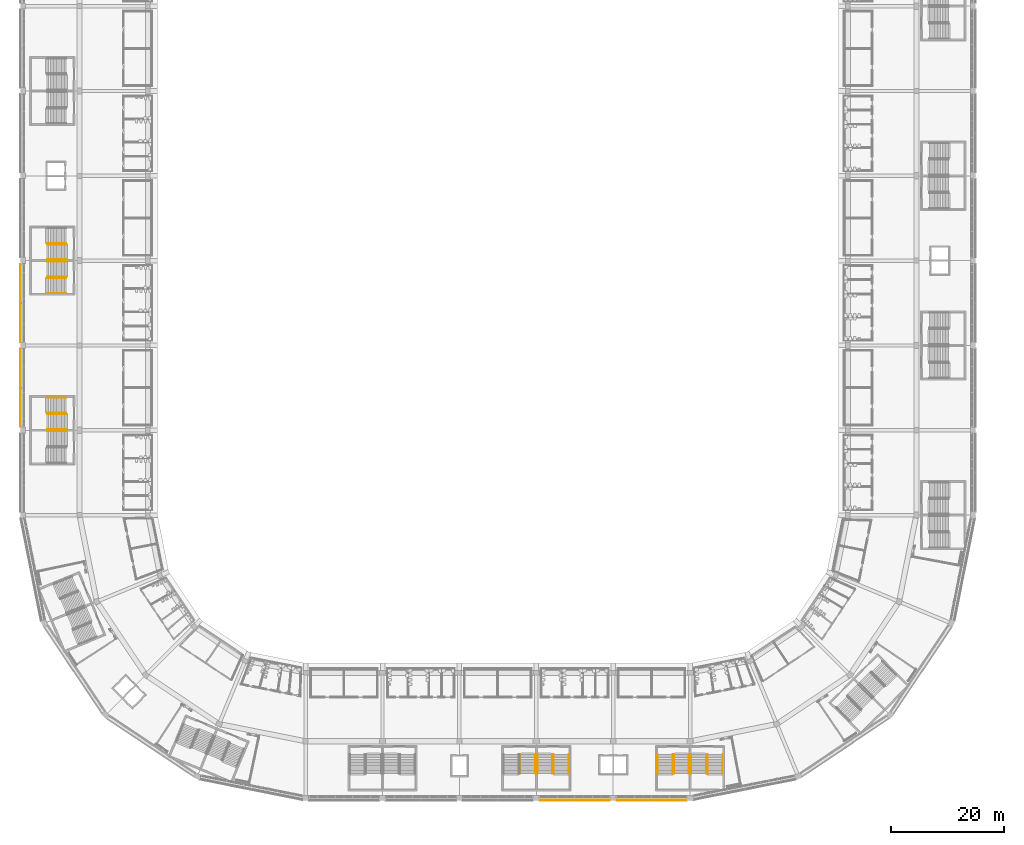
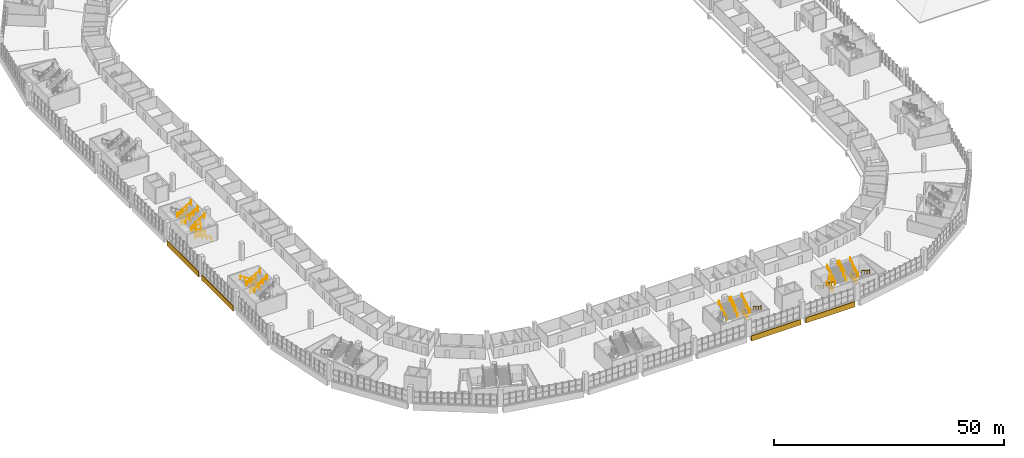
# One storey, part 187 of 199: 38 railings, 4 coverings.
"""IFC4 building model written with IfcOpenShell, lengths in metres."""

from ifc_helpers import new_model, si_unit, direction, frame, origin, origin_2d, place, context, subcontext, project, spatial, polyline, circle, outline, extrude, material, layer, layer_set, type_object, element, save


model = new_model("IFC4")

# Units and contexts
model_context = context("Model", 3, precision=1e-05, world=origin(), true_north=direction((0.0, 1.0)))
body_context = subcontext(model_context, "Body", "Model", "MODEL_VIEW")
ifc_project = project(units=[si_unit("LENGTHUNIT", "METRE"), si_unit("AREAUNIT", "SQUARE_METRE"), si_unit("VOLUMEUNIT", "CUBIC_METRE"), si_unit("PLANEANGLEUNIT", "RADIAN"), si_unit("MASSUNIT", "GRAM", prefix="KILO")], contexts=[model_context])

# Site, building, storey
site_placement = place(None, origin())
site = spatial("IfcSite", under=ifc_project, at=site_placement, CompositionType="ELEMENT")
building_placement = place(site_placement, origin())
building = spatial("IfcBuilding", under=site, at=building_placement, Name="Ogive Plaza Stadium", CompositionType="ELEMENT")
storey_placement = place(building_placement, frame((0.0, 0.0, 4.5)))
storey = spatial("IfcBuildingStorey", under=building, at=storey_placement, Name="L01", CompositionType="ELEMENT", Elevation=4.5)

# Railings
ifc_material_1 = material(Name="Steel ASTM A572 Grade 50", Category="steel")
railing_type_1 = type_object("IfcRailingType", Name="Guard 1100", PredefinedType="GUARDRAIL", material=ifc_material_1)
for number, where, name in (
    (1, (31.02490234375, -94.85009765625, 0.0), "Stair well guard ST12A L01"),
    (2, (31.02490234375, -95.81005859375, 2.25), "Stair well guard ST12A L01"),
    (3, (36.97509765625, -94.85009765625, 0.0), "Stair well guard ST12B L01"),
    (4, (36.97509765625, -95.81005859375, 2.25), "Stair well guard ST12B L01"),
    (5, (9.77490234375, -94.85009765625, 0.0), "Stair well guard ST14B L01"),
    (6, (9.77490234375, -95.81005859375, 2.25), "Stair well guard ST14B L01"),
):
    element("IfcRailing", number, at=place(storey_placement, frame(where)), inside=storey, type_object=railing_type_1, Name=name, PredefinedType="GUARDRAIL", context=body_context, shape_type="SweptSolid", body=[
        extrude(circle(Radius=0.02392578125, at=origin_2d()), frame((0.0, 0.0, 1.076171875), z_axis=(0.0, -1.0, 0.0), x_axis=(1.0, 0.0, 0.0)), (0.0, 0.0, 1.0), 2.39990234375),
        extrude(circle(Radius=0.02099609375, at=origin_2d()), origin(), (0.0, 0.0, 1.0), 1.052001953125),
        extrude(circle(Radius=0.02099609375, at=origin_2d()), frame((0.0, -1.199951171875, 0.0)), (0.0, 0.0, 1.0), 1.052001953125),
        extrude(circle(Radius=0.02099609375, at=origin_2d()), frame((0.0, -2.39990234375, 0.0)), (0.0, 0.0, 1.0), 1.052001953125),
    ])
for number, where, name in (
    (7, (-76.35009765625, -34.52490234375, 0.0), "Stair well guard ST22A L01"),
    (8, (-77.31005859375, -34.52490234375, 2.25), "Stair well guard ST22A L01"),
    (9, (-76.35009765625, -4.52490234375, 0.0), "Stair well guard ST24A L01"),
    (10, (-77.31005859375, -4.52490234375, 2.25), "Stair well guard ST24A L01"),
    (11, (-76.35009765625, -10.47509765625, 0.0), "Stair well guard ST24B L01"),
    (12, (-77.31005859375, -10.47509765625, 2.25), "Stair well guard ST24B L01"),
):
    element("IfcRailing", number, at=place(storey_placement, frame(where)), inside=storey, type_object=railing_type_1, Name=name, PredefinedType="GUARDRAIL", context=body_context, shape_type="SweptSolid", body=[
        extrude(circle(Radius=0.02392578125, at=origin_2d()), frame((0.0, 0.0, 1.076171875), z_axis=(-1.0, 0.0, 0.0), x_axis=(0.0, -1.0, 0.0)), (0.0, 0.0, 1.0), 2.39990234375),
        extrude(circle(Radius=0.02099609375, at=origin_2d()), origin(), (0.0, 0.0, 1.0), 1.052001953125),
        extrude(circle(Radius=0.02099609375, at=origin_2d()), frame((-1.199951171875, 0.0, 0.0)), (0.0, 0.0, 1.0), 1.052001953125),
        extrude(circle(Radius=0.02099609375, at=origin_2d()), frame((-2.39990234375, 0.0, 0.0)), (0.0, 0.0, 1.0), 1.052001953125),
    ])
ifc_material_2 = material(Name="Steel ASTM A572 Grade 50", Category="steel")
railing_type_2 = type_object("IfcRailingType", Name="Handrail 900", PredefinedType="HANDRAIL", material=ifc_material_2)
for number, where, name in (
    (13, (28.235107421875, -94.85009765625, 0.173095703125), "Handrail ST12A L01"),
    (14, (30.9150390625, -94.85009765625, 0.173095703125), "Handrail ST12A L01"),
):
    element("IfcRailing", number, at=place(storey_placement, frame(where)), inside=storey, type_object=railing_type_2, Name=name, PredefinedType="HANDRAIL", context=body_context, shape_type="SweptSolid", body=[
        extrude(circle(Radius=0.02392578125, at=origin_2d()), frame((0.0, 0.0, 0.8759765625), z_axis=(0.0, -0.850606129759, 0.525803396734), x_axis=(1.0, 0.0, 0.0)), (0.0, 0.0, 1.0), 3.949951171875),
        extrude(circle(Radius=0.02099609375, at=origin_2d()), origin(), (0.0, 0.0, 1.0), 0.851806640625),
        extrude(circle(Radius=0.02099609375, at=origin_2d()), frame((0.0, -1.119873046875, 0.6923828125)), (0.0, 0.0, 1.0), 0.851806640625),
        extrude(circle(Radius=0.02099609375, at=origin_2d()), frame((0.0, -2.239990234375, 1.384521484375)), (0.0, 0.0, 1.0), 0.851806640625),
        extrude(circle(Radius=0.02099609375, at=origin_2d()), frame((0.0, -3.35986328125, 2.076904296875)), (0.0, 0.0, 1.0), 1.10009765625),
    ])
for number, where, name in (
    (15, (31.135009765625, -98.2099609375, 2.423095703125), "Handrail ST12A L01"),
    (16, (33.81494140625, -98.2099609375, 2.423095703125), "Handrail ST12A L01"),
):
    element("IfcRailing", number, at=place(storey_placement, frame(where)), inside=storey, type_object=railing_type_2, Name=name, PredefinedType="HANDRAIL", context=body_context, shape_type="SweptSolid", body=[
        extrude(circle(Radius=0.02392578125, at=origin_2d()), frame((0.0, 0.0, 0.8759765625), z_axis=(0.0, 0.850606129759, 0.525803396734), x_axis=(-1.0, 0.0, 0.0)), (0.0, 0.0, 1.0), 3.949951171875),
        extrude(circle(Radius=0.02099609375, at=origin_2d()), origin(), (0.0, 0.0, 1.0), 0.851806640625),
        extrude(circle(Radius=0.02099609375, at=origin_2d()), frame((0.0, 1.119873046875, 0.6923828125)), (0.0, 0.0, 1.0), 0.851806640625),
        extrude(circle(Radius=0.02099609375, at=origin_2d()), frame((0.0, 2.239990234375, 1.384521484375)), (0.0, 0.0, 1.0), 0.851806640625),
        extrude(circle(Radius=0.02099609375, at=origin_2d()), frame((0.0, 3.35986328125, 2.076904296875)), (0.0, 0.0, 1.0), 1.10009765625),
    ])
for number, where, name in (
    (17, (37.0849609375, -94.85009765625, 0.173095703125), "Handrail ST12B L01"),
    (18, (39.764892578125, -94.85009765625, 0.173095703125), "Handrail ST12B L01"),
):
    element("IfcRailing", number, at=place(storey_placement, frame(where)), inside=storey, type_object=railing_type_2, Name=name, PredefinedType="HANDRAIL", context=body_context, shape_type="SweptSolid", body=[
        extrude(circle(Radius=0.02392578125, at=origin_2d()), frame((0.0, 0.0, 0.8759765625), z_axis=(0.0, -0.850606129759, 0.525803396734), x_axis=(1.0, 0.0, 0.0)), (0.0, 0.0, 1.0), 3.949951171875),
        extrude(circle(Radius=0.02099609375, at=origin_2d()), origin(), (0.0, 0.0, 1.0), 0.851806640625),
        extrude(circle(Radius=0.02099609375, at=origin_2d()), frame((0.0, -1.119873046875, 0.6923828125)), (0.0, 0.0, 1.0), 0.851806640625),
        extrude(circle(Radius=0.02099609375, at=origin_2d()), frame((0.0, -2.239990234375, 1.384521484375)), (0.0, 0.0, 1.0), 0.851806640625),
        extrude(circle(Radius=0.02099609375, at=origin_2d()), frame((0.0, -3.35986328125, 2.076904296875)), (0.0, 0.0, 1.0), 1.10009765625),
    ])
for number, where, name in (
    (19, (34.18505859375, -98.2099609375, 2.423095703125), "Handrail ST12B L01"),
    (20, (36.864990234375, -98.2099609375, 2.423095703125), "Handrail ST12B L01"),
    (21, (3.93505859375, -98.2099609375, 2.423095703125), "Handrail ST14A L01"),
    (22, (6.614990234375, -98.2099609375, 2.423095703125), "Handrail ST14A L01"),
):
    element("IfcRailing", number, at=place(storey_placement, frame(where)), inside=storey, type_object=railing_type_2, Name=name, PredefinedType="HANDRAIL", context=body_context, shape_type="SweptSolid", body=[
        extrude(circle(Radius=0.02392578125, at=origin_2d()), frame((0.0, 0.0, 0.8759765625), z_axis=(0.0, 0.850606129759, 0.525803396734), x_axis=(-1.0, 0.0, 0.0)), (0.0, 0.0, 1.0), 3.949951171875),
        extrude(circle(Radius=0.02099609375, at=origin_2d()), origin(), (0.0, 0.0, 1.0), 0.851806640625),
        extrude(circle(Radius=0.02099609375, at=origin_2d()), frame((0.0, 1.119873046875, 0.6923828125)), (0.0, 0.0, 1.0), 0.851806640625),
        extrude(circle(Radius=0.02099609375, at=origin_2d()), frame((0.0, 2.239990234375, 1.384521484375)), (0.0, 0.0, 1.0), 0.851806640625),
        extrude(circle(Radius=0.02099609375, at=origin_2d()), frame((0.0, 3.35986328125, 2.076904296875)), (0.0, 0.0, 1.0), 1.10009765625),
    ])
for number, where, name in (
    (23, (9.885009765625, -94.85009765625, 0.173095703125), "Handrail ST14B L01"),
    (24, (12.56494140625, -94.85009765625, 0.173095703125), "Handrail ST14B L01"),
):
    element("IfcRailing", number, at=place(storey_placement, frame(where)), inside=storey, type_object=railing_type_2, Name=name, PredefinedType="HANDRAIL", context=body_context, shape_type="SweptSolid", body=[
        extrude(circle(Radius=0.02392578125, at=origin_2d()), frame((0.0, 0.0, 0.8759765625), z_axis=(0.0, -0.850606129759, 0.525803396734), x_axis=(1.0, 0.0, 0.0)), (0.0, 0.0, 1.0), 3.949951171875),
        extrude(circle(Radius=0.02099609375, at=origin_2d()), origin(), (0.0, 0.0, 1.0), 0.851806640625),
        extrude(circle(Radius=0.02099609375, at=origin_2d()), frame((0.0, -1.119873046875, 0.6923828125)), (0.0, 0.0, 1.0), 0.851806640625),
        extrude(circle(Radius=0.02099609375, at=origin_2d()), frame((0.0, -2.239990234375, 1.384521484375)), (0.0, 0.0, 1.0), 0.851806640625),
        extrude(circle(Radius=0.02099609375, at=origin_2d()), frame((0.0, -3.35986328125, 2.076904296875)), (0.0, 0.0, 1.0), 1.10009765625),
    ])
for number, where, name in (
    (25, (6.985107421875, -98.2099609375, 2.423095703125), "Handrail ST14B L01"),
    (26, (9.6650390625, -98.2099609375, 2.423095703125), "Handrail ST14B L01"),
):
    element("IfcRailing", number, at=place(storey_placement, frame(where)), inside=storey, type_object=railing_type_2, Name=name, PredefinedType="HANDRAIL", context=body_context, shape_type="SweptSolid", body=[
        extrude(circle(Radius=0.02392578125, at=origin_2d()), frame((0.0, 0.0, 0.8759765625), z_axis=(0.0, 0.850606129759, 0.525803396734), x_axis=(-1.0, 0.0, 0.0)), (0.0, 0.0, 1.0), 3.949951171875),
        extrude(circle(Radius=0.02099609375, at=origin_2d()), origin(), (0.0, 0.0, 1.0), 0.851806640625),
        extrude(circle(Radius=0.02099609375, at=origin_2d()), frame((0.0, 1.119873046875, 0.6923828125)), (0.0, 0.0, 1.0), 0.851806640625),
        extrude(circle(Radius=0.02099609375, at=origin_2d()), frame((0.0, 2.239990234375, 1.384521484375)), (0.0, 0.0, 1.0), 0.851806640625),
        extrude(circle(Radius=0.02099609375, at=origin_2d()), frame((0.0, 3.35986328125, 2.076904296875)), (0.0, 0.0, 1.0), 1.10009765625),
    ])
for number, where, name in (
    (27, (-76.35009765625, -31.735107421875, 0.173095703125), "Handrail ST22A L01"),
    (28, (-76.35009765625, -34.4150390625, 0.173095703125), "Handrail ST22A L01"),
):
    element("IfcRailing", number, at=place(storey_placement, frame(where)), inside=storey, type_object=railing_type_2, Name=name, PredefinedType="HANDRAIL", context=body_context, shape_type="SweptSolid", body=[
        extrude(circle(Radius=0.02392578125, at=origin_2d()), frame((0.0, 0.0, 0.8759765625), z_axis=(-0.850606129759, 0.0, 0.525803396734), x_axis=(0.0, -1.0, 0.0)), (0.0, 0.0, 1.0), 3.949951171875),
        extrude(circle(Radius=0.02099609375, at=origin_2d()), origin(), (0.0, 0.0, 1.0), 0.851806640625),
        extrude(circle(Radius=0.02099609375, at=origin_2d()), frame((-1.119873046875, 0.0, 0.6923828125)), (0.0, 0.0, 1.0), 0.851806640625),
        extrude(circle(Radius=0.02099609375, at=origin_2d()), frame((-2.239990234375, 0.0, 1.384521484375)), (0.0, 0.0, 1.0), 0.851806640625),
        extrude(circle(Radius=0.02099609375, at=origin_2d()), frame((-3.35986328125, 0.0, 2.076904296875)), (0.0, 0.0, 1.0), 1.10009765625),
    ])
for number, where, name in (
    (29, (-79.7099609375, -34.635009765625, 2.423095703125), "Handrail ST22A L01"),
    (30, (-79.7099609375, -37.31494140625, 2.423095703125), "Handrail ST22A L01"),
    (31, (-79.7099609375, -37.68505859375, 2.423095703125), "Handrail ST22B L01"),
):
    element("IfcRailing", number, at=place(storey_placement, frame(where)), inside=storey, type_object=railing_type_2, Name=name, PredefinedType="HANDRAIL", context=body_context, shape_type="SweptSolid", body=[
        extrude(circle(Radius=0.02392578125, at=origin_2d()), frame((0.0, 0.0, 0.8759765625), z_axis=(0.850606129759, 0.0, 0.525803396734), x_axis=(0.0, 1.0, 0.0)), (0.0, 0.0, 1.0), 3.949951171875),
        extrude(circle(Radius=0.02099609375, at=origin_2d()), origin(), (0.0, 0.0, 1.0), 0.851806640625),
        extrude(circle(Radius=0.02099609375, at=origin_2d()), frame((1.119873046875, 0.0, 0.6923828125)), (0.0, 0.0, 1.0), 0.851806640625),
        extrude(circle(Radius=0.02099609375, at=origin_2d()), frame((2.239990234375, 0.0, 1.384521484375)), (0.0, 0.0, 1.0), 0.851806640625),
        extrude(circle(Radius=0.02099609375, at=origin_2d()), frame((3.35986328125, 0.0, 2.076904296875)), (0.0, 0.0, 1.0), 1.10009765625),
    ])
railing_placement = place(storey_placement, frame((-76.35009765625, -4.4150390625, 0.173095703125)))
element("IfcRailing", 32, at=railing_placement, inside=storey, type_object=railing_type_2, Name="Handrail ST24A L01", PredefinedType="HANDRAIL", context=body_context, shape_type="SweptSolid", body=[
    extrude(circle(Radius=0.02392578125, at=origin_2d()), frame((0.0, 0.0, 0.8759765625), z_axis=(-0.850606129759, 0.0, 0.525803396734), x_axis=(0.0, -1.0, 0.0)), (0.0, 0.0, 1.0), 3.949951171875),
    extrude(circle(Radius=0.02099609375, at=origin_2d()), origin(), (0.0, 0.0, 1.0), 0.851806640625),
    extrude(circle(Radius=0.02099609375, at=origin_2d()), frame((-1.119873046875, 0.0, 0.6923828125)), (0.0, 0.0, 1.0), 0.851806640625),
    extrude(circle(Radius=0.02099609375, at=origin_2d()), frame((-2.239990234375, 0.0, 1.384521484375)), (0.0, 0.0, 1.0), 0.851806640625),
    extrude(circle(Radius=0.02099609375, at=origin_2d()), frame((-3.35986328125, 0.0, 2.076904296875)), (0.0, 0.0, 1.0), 1.10009765625),
])
for number, where, name in (
    (33, (-79.7099609375, -4.635009765625, 2.423095703125), "Handrail ST24A L01"),
    (34, (-79.7099609375, -7.31494140625, 2.423095703125), "Handrail ST24A L01"),
):
    element("IfcRailing", number, at=place(storey_placement, frame(where)), inside=storey, type_object=railing_type_2, Name=name, PredefinedType="HANDRAIL", context=body_context, shape_type="SweptSolid", body=[
        extrude(circle(Radius=0.02392578125, at=origin_2d()), frame((0.0, 0.0, 0.8759765625), z_axis=(0.850606129759, 0.0, 0.525803396734), x_axis=(0.0, 1.0, 0.0)), (0.0, 0.0, 1.0), 3.949951171875),
        extrude(circle(Radius=0.02099609375, at=origin_2d()), origin(), (0.0, 0.0, 1.0), 0.851806640625),
        extrude(circle(Radius=0.02099609375, at=origin_2d()), frame((1.119873046875, 0.0, 0.6923828125)), (0.0, 0.0, 1.0), 0.851806640625),
        extrude(circle(Radius=0.02099609375, at=origin_2d()), frame((2.239990234375, 0.0, 1.384521484375)), (0.0, 0.0, 1.0), 0.851806640625),
        extrude(circle(Radius=0.02099609375, at=origin_2d()), frame((3.35986328125, 0.0, 2.076904296875)), (0.0, 0.0, 1.0), 1.10009765625),
    ])
for number, where, name in (
    (35, (-76.35009765625, -10.5849609375, 0.173095703125), "Handrail ST24B L01"),
    (36, (-76.35009765625, -13.264892578125, 0.173095703125), "Handrail ST24B L01"),
):
    element("IfcRailing", number, at=place(storey_placement, frame(where)), inside=storey, type_object=railing_type_2, Name=name, PredefinedType="HANDRAIL", context=body_context, shape_type="SweptSolid", body=[
        extrude(circle(Radius=0.02392578125, at=origin_2d()), frame((0.0, 0.0, 0.8759765625), z_axis=(-0.850606129759, 0.0, 0.525803396734), x_axis=(0.0, -1.0, 0.0)), (0.0, 0.0, 1.0), 3.949951171875),
        extrude(circle(Radius=0.02099609375, at=origin_2d()), origin(), (0.0, 0.0, 1.0), 0.851806640625),
        extrude(circle(Radius=0.02099609375, at=origin_2d()), frame((-1.119873046875, 0.0, 0.6923828125)), (0.0, 0.0, 1.0), 0.851806640625),
        extrude(circle(Radius=0.02099609375, at=origin_2d()), frame((-2.239990234375, 0.0, 1.384521484375)), (0.0, 0.0, 1.0), 0.851806640625),
        extrude(circle(Radius=0.02099609375, at=origin_2d()), frame((-3.35986328125, 0.0, 2.076904296875)), (0.0, 0.0, 1.0), 1.10009765625),
    ])
for number, where, name in (
    (37, (-79.7099609375, -7.68505859375, 2.423095703125), "Handrail ST24B L01"),
    (38, (-79.7099609375, -10.364990234375, 2.423095703125), "Handrail ST24B L01"),
):
    element("IfcRailing", number, at=place(storey_placement, frame(where)), inside=storey, type_object=railing_type_2, Name=name, PredefinedType="HANDRAIL", context=body_context, shape_type="SweptSolid", body=[
        extrude(circle(Radius=0.02392578125, at=origin_2d()), frame((0.0, 0.0, 0.8759765625), z_axis=(0.850606129759, 0.0, 0.525803396734), x_axis=(0.0, 1.0, 0.0)), (0.0, 0.0, 1.0), 3.949951171875),
        extrude(circle(Radius=0.02099609375, at=origin_2d()), origin(), (0.0, 0.0, 1.0), 0.851806640625),
        extrude(circle(Radius=0.02099609375, at=origin_2d()), frame((1.119873046875, 0.0, 0.6923828125)), (0.0, 0.0, 1.0), 0.851806640625),
        extrude(circle(Radius=0.02099609375, at=origin_2d()), frame((2.239990234375, 0.0, 1.384521484375)), (0.0, 0.0, 1.0), 0.851806640625),
        extrude(circle(Radius=0.02099609375, at=origin_2d()), frame((3.35986328125, 0.0, 2.076904296875)), (0.0, 0.0, 1.0), 1.10009765625),
    ])

# Coverings
ifc_material_3 = material(Name="Cast stone (reconstituted limestone)", Category="masonry")
ifc_layer = layer(ifc_material_3, 0.159912109375)
ifc_layer_set = layer_set([ifc_layer], Name="Precast spandrel cladding 160")
covering_type = type_object("IfcCoveringType", Name="Precast spandrel cladding 160", PredefinedType="CLADDING", material=ifc_layer_set)
covering_1_placement = place(storey_placement, frame((0.0, 0.0, -1.409912109375)))
element("IfcCovering", 39, at=covering_1_placement, inside=storey, type_object=covering_type, Name="SPANDREL CLADDING B12 L01", PredefinedType="CLADDING", context=body_context, shape_type="SweptSolid", body=[
    extrude(outline(polyline([(33.39990234375, -102.85009765625), (21.0, -102.85009765625), (21.0, -103.010009765625), (33.39990234375, -103.010009765625), (33.39990234375, -102.85009765625)])), origin(), (0.0, 0.0, 1.0), 1.409912109375),
])
covering_2_placement = place(storey_placement, frame((0.0, 0.0, -1.409912109375)))
element("IfcCovering", 40, at=covering_2_placement, inside=storey, type_object=covering_type, Name="SPANDREL CLADDING B13 L01", PredefinedType="CLADDING", context=body_context, shape_type="SweptSolid", body=[
    extrude(outline(polyline([(19.800048828125, -102.85009765625), (7.39990234375, -102.85009765625), (7.39990234375, -103.010009765625), (19.800048828125, -103.010009765625), (19.800048828125, -102.85009765625)])), origin(), (0.0, 0.0, 1.0), 1.409912109375),
])
covering_3_placement = place(storey_placement, frame((0.0, 0.0, -1.409912109375)))
element("IfcCovering", 41, at=covering_3_placement, inside=storey, type_object=covering_type, Name="SPANDREL CLADDING B22 L01", PredefinedType="CLADDING", context=body_context, shape_type="SweptSolid", body=[
    extrude(outline(polyline([(-84.35009765625, -36.89990234375), (-84.35009765625, -23.10009765625), (-84.510009765625, -23.10009765625), (-84.510009765625, -36.89990234375), (-84.35009765625, -36.89990234375)])), origin(), (0.0, 0.0, 1.0), 1.409912109375),
])
covering_4_placement = place(storey_placement, frame((0.0, 0.0, -1.409912109375)))
element("IfcCovering", 42, at=covering_4_placement, inside=storey, type_object=covering_type, Name="SPANDREL CLADDING B23 L01", PredefinedType="CLADDING", context=body_context, shape_type="SweptSolid", body=[
    extrude(outline(polyline([(-84.35009765625, -21.89990234375), (-84.35009765625, -8.10009765625), (-84.510009765625, -8.10009765625), (-84.510009765625, -21.89990234375), (-84.35009765625, -21.89990234375)])), origin(), (0.0, 0.0, 1.0), 1.409912109375),
])

save(model, "model.ifc")
